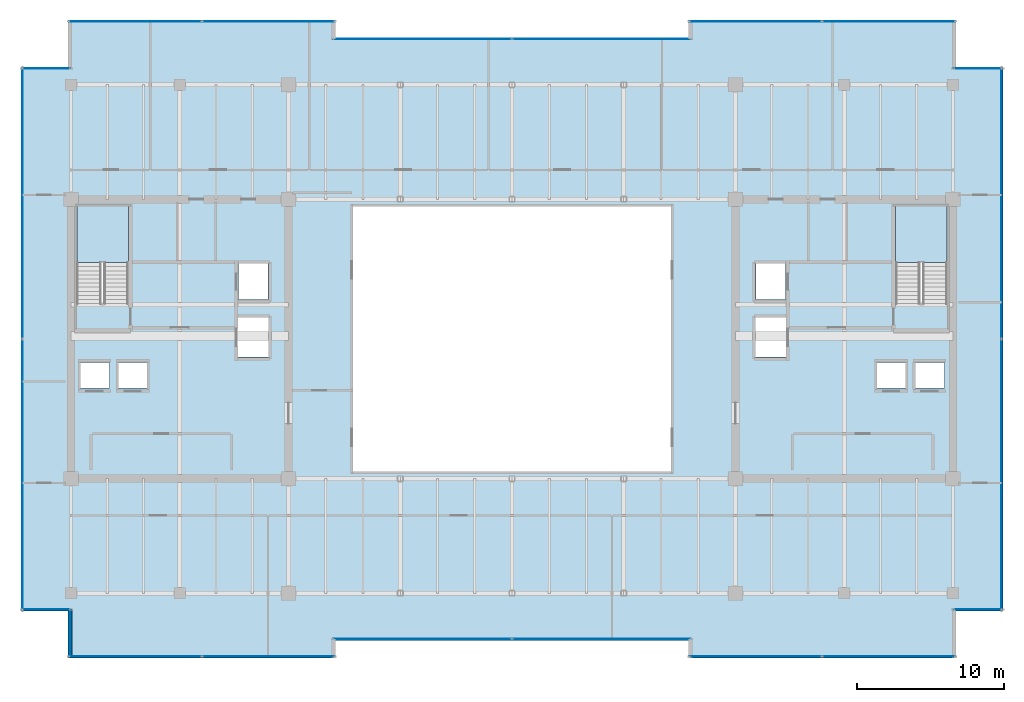
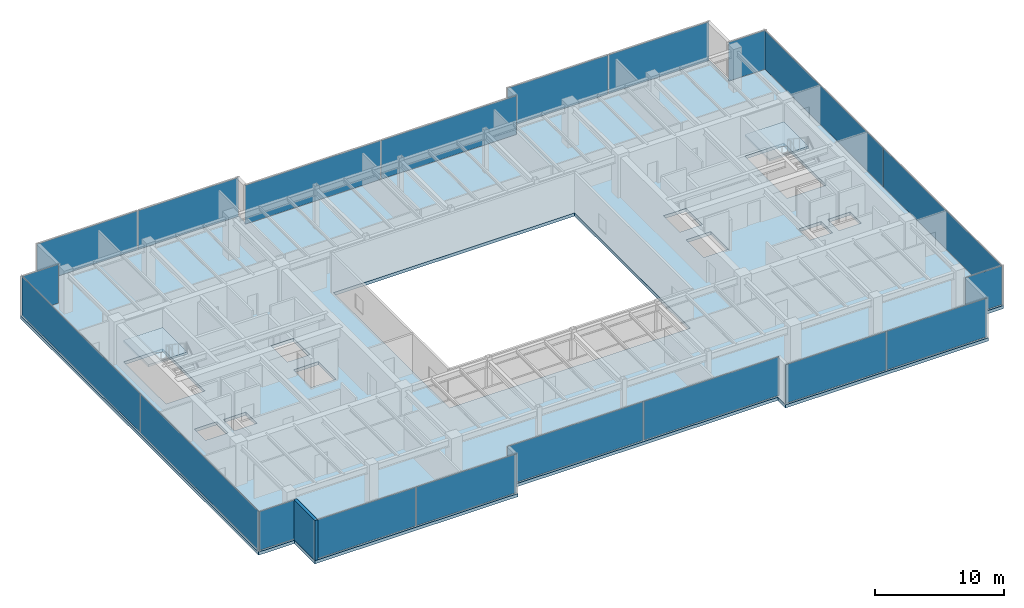
# One storey, part 27 of 33: 20 plates, 3 slabs, 1 wall, 14 elements without a shape of their own.
"""IFC4 building model written with IfcOpenShell, lengths in metres."""

from ifc_helpers import new_model, si_unit, direction, frame, frame_2d, origin, origin_2d, place, context, subcontext, project, spatial, polyline, rectangle, outline, extrude, source, transform, mapped, material, layer, layer_set, type_object, type_shapes, element, aggregate, save


model = new_model("IFC4")

# Units and contexts
model_context = context("Model", 3, precision=1e-05, world=origin(), true_north=direction((0.0, 1.0)))
body_context = subcontext(model_context, "Body", "Model", "MODEL_VIEW")
ifc_project = project(units=[si_unit("LENGTHUNIT", "METRE"), si_unit("AREAUNIT", "SQUARE_METRE"), si_unit("VOLUMEUNIT", "CUBIC_METRE"), si_unit("PLANEANGLEUNIT", "RADIAN"), si_unit("MASSUNIT", "GRAM", prefix="KILO")], contexts=[model_context])

# Site, building, storey
site_placement = place(None, origin())
site = spatial("IfcSite", under=ifc_project, at=site_placement, CompositionType="ELEMENT")
building_placement = place(site_placement, origin())
building = spatial("IfcBuilding", under=site, at=building_placement, Name="Haelvirn Gate Laboratories", CompositionType="ELEMENT")
storey_placement = place(building_placement, frame((0.0, 0.0, 230.10009765625)))
storey = spatial("IfcBuildingStorey", under=building, at=storey_placement, Name="L55", CompositionType="ELEMENT", Elevation=230.10009765625)

# Stair, slab
ifc_material_1 = material(Name="Concrete C40/50", Category="concrete")
stair_type = type_object("IfcStairType", Name="ST-DOG-1650-R22", PredefinedType="HALF_TURN_STAIR", material=ifc_material_1)
stair_1_placement = place(storey_placement, origin())
stair_1 = element("IfcStair", 1, at=stair_1_placement, inside=storey, type_object=stair_type, Name="L55 Escape Stair ST1", PredefinedType="HALF_TURN_STAIR")
ifc_layer_1 = layer(ifc_material_1, 0.199951171875, Name="SL-STAIR-LND")
ifc_layer_set_1 = layer_set([ifc_layer_1], Name="Concrete C40/50")
slab_type_1 = type_object("IfcSlabType", Name="SL-STAIR-LND", PredefinedType="LANDING", material=ifc_layer_set_1)
slab_1_placement = place(storey_placement, frame((0.0, 0.0, 1.849853515625)))
slab_1 = element("IfcSlab", 2, at=slab_1_placement, type_object=slab_type_1, Name="ST1 landing 1", PredefinedType="LANDING", context=body_context, shape_type="SweptSolid", body=[
    extrude(outline(polyline([(11.300048828125, 29.5), (11.300048828125, 33.35009765625), (7.800048828125, 33.35009765625), (7.800048828125, 29.5), (11.300048828125, 29.5)])), origin(), (0.0, 0.0, 1.0), 0.199951171875),
])
aggregate(stair_1, [slab_1])

stair_2_placement = place(storey_placement, origin())
stair_2 = element("IfcStair", 3, at=stair_2_placement, inside=storey, type_object=stair_type, Name="L55 Escape Stair ST2", PredefinedType="HALF_TURN_STAIR")
slab_2_placement = place(storey_placement, frame((0.0, 0.0, 1.849853515625)))
slab_2 = element("IfcSlab", 4, at=slab_2_placement, type_object=slab_type_1, Name="ST2 landing 1", PredefinedType="LANDING", context=body_context, shape_type="SweptSolid", body=[
    extrude(outline(polyline([(67.0, 29.5), (67.0, 33.35009765625), (63.5, 33.35009765625), (63.5, 29.5), (67.0, 29.5)])), origin(), (0.0, 0.0, 1.0), 0.199951171875),
])
aggregate(stair_2, [slab_2])

# Slab
ifc_layer_2 = layer(ifc_material_1, 0.300048828125, Name="SL-Z3-300")
ifc_layer_set_2 = layer_set([ifc_layer_2], Name="Concrete C40/50")
slab_type_2 = type_object("IfcSlabType", Name="SL-Z3-300", PredefinedType="FLOOR", material=ifc_layer_set_2)
slab_3_placement = place(storey_placement, frame((0.0, 0.0, -0.300048828125)))
element("IfcSlab", 5, at=slab_3_placement, inside=storey, type_object=slab_type_2, Name="L55 Structural Slab MAIN", PredefinedType="FLOOR", context=body_context, shape_type="SweptSolid", body=[
    extrude(outline(polyline([(7.199951171875, 2.60009765625), (25.39990234375, 2.60009765625), (25.39990234375, 3.800048828125), (49.39990234375, 3.800048828125), (49.39990234375, 2.60009765625), (67.60009765625, 2.60009765625), (67.60009765625, 5.800048828125), (70.800048828125, 5.800048828125), (70.800048828125, 42.800048828125), (67.60009765625, 42.800048828125), (67.60009765625, 46.0), (49.39990234375, 46.0), (49.39990234375, 44.800048828125), (25.39990234375, 44.800048828125), (25.39990234375, 46.0), (7.199951171875, 46.0), (7.199951171875, 42.800048828125), (4.0, 42.800048828125), (4.0, 5.800048828125), (7.199951171875, 5.800048828125), (7.199951171875, 2.60009765625)]), holes=[polyline([(26.60009765625, 15.300048828125), (48.199951171875, 15.300048828125), (48.199951171875, 33.300048828125), (26.60009765625, 33.300048828125), (26.60009765625, 15.300048828125)]), polyline([(11.300048828125, 26.780029296875), (11.300048828125, 33.35009765625), (7.800048828125, 33.35009765625), (7.800048828125, 26.780029296875), (11.300048828125, 26.780029296875)]), polyline([(67.0, 26.780029296875), (67.0, 33.35009765625), (63.5, 33.35009765625), (63.5, 26.780029296875), (67.0, 26.780029296875)]), polyline([(7.989990234375, 20.969970703125), (10.010009765625, 20.969970703125), (10.010009765625, 22.7099609375), (7.989990234375, 22.7099609375), (7.989990234375, 20.969970703125)]), polyline([(10.590087890625, 20.969970703125), (12.610107421875, 20.969970703125), (12.610107421875, 22.7099609375), (10.590087890625, 22.7099609375), (10.590087890625, 20.969970703125)]), polyline([(18.7900390625, 26.969970703125), (20.81005859375, 26.969970703125), (20.81005859375, 29.510009765625), (18.7900390625, 29.510009765625), (18.7900390625, 26.969970703125)]), polyline([(18.68994140625, 23.070068359375), (20.909912109375, 23.070068359375), (20.909912109375, 25.81005859375), (18.68994140625, 25.81005859375), (18.68994140625, 23.070068359375)]), polyline([(64.7900390625, 20.969970703125), (66.81005859375, 20.969970703125), (66.81005859375, 22.7099609375), (64.7900390625, 22.7099609375), (64.7900390625, 20.969970703125)]), polyline([(62.18994140625, 20.969970703125), (64.2099609375, 20.969970703125), (64.2099609375, 22.7099609375), (62.18994140625, 22.7099609375), (62.18994140625, 20.969970703125)]), polyline([(53.989990234375, 26.969970703125), (56.010009765625, 26.969970703125), (56.010009765625, 29.510009765625), (53.989990234375, 29.510009765625), (53.989990234375, 26.969970703125)]), polyline([(53.889892578125, 23.070068359375), (56.110107421875, 23.070068359375), (56.110107421875, 25.81005859375), (53.889892578125, 25.81005859375), (53.889892578125, 23.070068359375)])]), origin(), (0.0, 0.0, 1.0), 0.300048828125),
])

# Curtain wall, plates
ifc_material_2 = material(Name="Anodised bronze unitised aluminium & triple low-E glass", Category="aluminium")
ifc_layer_3 = layer(ifc_material_2, 0.176025390625, Name="CW-SYS-4")
ifc_layer_set_3 = layer_set([ifc_layer_3], Name="Anodised bronze unitised aluminium & triple low-E glass")
curtain_wall_type_1 = type_object("IfcCurtainWallType", Name="CW-SYS-4", PredefinedType="NOTDEFINED", material=ifc_layer_set_3)
curtain_wall_1_placement = place(storey_placement, origin())
curtain_wall_1 = element("IfcCurtainWall", 6, at=curtain_wall_1_placement, inside=storey, type_object=curtain_wall_type_1, Name="L55 Unitised Curtain Wall CW-L55-P0-E00-1", PredefinedType="NOTDEFINED")
ifc_material_3 = material(Name="Acoustic laminated bronze triple IGU 36 mm", Category="glass")
ifc_layer_4 = layer(ifc_material_3, 0.035888671875, Name="CWP-IGU-36")
ifc_layer_set_4 = layer_set([ifc_layer_4], Name="Acoustic laminated bronze triple IGU 36 mm")
plate_type_1 = type_object("IfcPlateType", Name="CWP-IGU-36", PredefinedType="CURTAIN_PANEL", material=ifc_layer_set_4)
shared_shape_1 = source(origin(), body_context, "Body", "SweptSolid", [
    extrude(rectangle(XDim=8.9951171875, YDim=0.035888671875, at=origin_2d()), origin(), (0.0, 0.0, 1.0), 3.669921875),
])
plate_1_placement = place(storey_placement, frame((11.767578125, 2.699951171875, 0.06494140625), z_axis=(0.0, 0.0, 1.0), x_axis=(1.0, 0.0, 0.0)))
plate_1 = element("IfcPlate", 7, at=plate_1_placement, type_object=plate_type_1, Name="CW4 panel 1.1", PredefinedType="CURTAIN_PANEL", context=body_context, shape_type="MappedRepresentation", body=[
    mapped(shared_shape_1, transform((0.0, 0.0, 0.0), scale=1.0)),
])
plate_2_placement = place(storey_placement, frame((20.83251953125, 2.699951171875, 0.06494140625), z_axis=(0.0, 0.0, 1.0), x_axis=(1.0, 0.0, 0.0)))
plate_2 = element("IfcPlate", 8, at=plate_2_placement, type_object=plate_type_1, Name="CW4 panel 2.1", PredefinedType="CURTAIN_PANEL", context=body_context, shape_type="MappedRepresentation", body=[
    mapped(shared_shape_1, transform((0.0, 0.0, 0.0), scale=1.0)),
])
aggregate(curtain_wall_1, [plate_1, plate_2])

curtain_wall_2_placement = place(storey_placement, origin())
curtain_wall_2 = element("IfcCurtainWall", 9, at=curtain_wall_2_placement, inside=storey, type_object=curtain_wall_type_1, Name="L55 Unitised Curtain Wall CW-L55-P0-E04-1", PredefinedType="NOTDEFINED")
plate_3_placement = place(storey_placement, frame((53.967529296875, 2.699951171875, 0.06494140625), z_axis=(0.0, 0.0, 1.0), x_axis=(1.0, 0.0, 0.0)))
plate_3 = element("IfcPlate", 10, at=plate_3_placement, type_object=plate_type_1, Name="CW4 panel 1.1", PredefinedType="CURTAIN_PANEL", context=body_context, shape_type="MappedRepresentation", body=[
    mapped(shared_shape_1, transform((0.0, 0.0, 0.0), scale=1.0)),
])
plate_4_placement = place(storey_placement, frame((63.032470703125, 2.699951171875, 0.06494140625), z_axis=(0.0, 0.0, 1.0), x_axis=(1.0, 0.0, 0.0)))
plate_4 = element("IfcPlate", 11, at=plate_4_placement, type_object=plate_type_1, Name="CW4 panel 2.1", PredefinedType="CURTAIN_PANEL", context=body_context, shape_type="MappedRepresentation", body=[
    mapped(shared_shape_1, transform((0.0, 0.0, 0.0), scale=1.0)),
])
aggregate(curtain_wall_2, [plate_3, plate_4])

curtain_wall_3_placement = place(storey_placement, origin())
curtain_wall_3 = element("IfcCurtainWall", 12, at=curtain_wall_3_placement, inside=storey, type_object=curtain_wall_type_1, Name="L55 Unitised Curtain Wall CW-L55-P0-E10-1", PredefinedType="NOTDEFINED")
plate_5_placement = place(storey_placement, frame((53.967529296875, 45.89990234375, 0.06494140625), z_axis=(0.0, 0.0, 1.0), x_axis=(1.0, 0.0, 0.0)))
plate_5 = element("IfcPlate", 13, at=plate_5_placement, type_object=plate_type_1, Name="CW4 panel 1.1", PredefinedType="CURTAIN_PANEL", context=body_context, shape_type="MappedRepresentation", body=[
    mapped(shared_shape_1, transform((0.0, 0.0, 0.0), scale=1.0)),
])
plate_6_placement = place(storey_placement, frame((63.032470703125, 45.89990234375, 0.06494140625), z_axis=(0.0, 0.0, 1.0), x_axis=(1.0, 0.0, 0.0)))
plate_6 = element("IfcPlate", 14, at=plate_6_placement, type_object=plate_type_1, Name="CW4 panel 2.1", PredefinedType="CURTAIN_PANEL", context=body_context, shape_type="MappedRepresentation", body=[
    mapped(shared_shape_1, transform((0.0, 0.0, 0.0), scale=1.0)),
])
aggregate(curtain_wall_3, [plate_5, plate_6])

curtain_wall_4_placement = place(storey_placement, origin())
curtain_wall_4 = element("IfcCurtainWall", 15, at=curtain_wall_4_placement, inside=storey, type_object=curtain_wall_type_1, Name="L55 Unitised Curtain Wall CW-L55-P0-E14-1", PredefinedType="NOTDEFINED")
plate_7_placement = place(storey_placement, frame((11.767578125, 45.89990234375, 0.06494140625), z_axis=(0.0, 0.0, 1.0), x_axis=(1.0, 0.0, 0.0)))
plate_7 = element("IfcPlate", 16, at=plate_7_placement, type_object=plate_type_1, Name="CW4 panel 1.1", PredefinedType="CURTAIN_PANEL", context=body_context, shape_type="MappedRepresentation", body=[
    mapped(shared_shape_1, transform((0.0, 0.0, 0.0), scale=1.0)),
])
plate_8_placement = place(storey_placement, frame((20.83251953125, 45.89990234375, 0.06494140625), z_axis=(0.0, 0.0, 1.0), x_axis=(1.0, 0.0, 0.0)))
plate_8 = element("IfcPlate", 17, at=plate_8_placement, type_object=plate_type_1, Name="CW4 panel 2.1", PredefinedType="CURTAIN_PANEL", context=body_context, shape_type="MappedRepresentation", body=[
    mapped(shared_shape_1, transform((0.0, 0.0, 0.0), scale=1.0)),
])
aggregate(curtain_wall_4, [plate_7, plate_8])

curtain_wall_5_placement = place(storey_placement, origin())
curtain_wall_5 = element("IfcCurtainWall", 18, at=curtain_wall_5_placement, inside=storey, type_object=curtain_wall_type_1, Name="L55 Unitised Curtain Wall CW-L55-P0-E02-1", PredefinedType="NOTDEFINED")
shared_shape_2 = source(origin(), body_context, "Body", "SweptSolid", [
    extrude(rectangle(XDim=12.135009765625, YDim=0.035888671875, at=origin_2d()), origin(), (0.0, 0.0, 1.0), 3.669921875),
])
plate_9_placement = place(storey_placement, frame((31.297607421875, 3.89990234375, 0.06494140625), z_axis=(0.0, 0.0, 1.0), x_axis=(1.0, 0.0, 0.0)))
plate_9 = element("IfcPlate", 19, at=plate_9_placement, type_object=plate_type_1, Name="CW4 panel 1.1", PredefinedType="CURTAIN_PANEL", context=body_context, shape_type="MappedRepresentation", body=[
    mapped(shared_shape_2, transform((0.0, 0.0, 0.0), scale=1.0)),
])
plate_10_placement = place(storey_placement, frame((43.50244140625, 3.89990234375, 0.06494140625), z_axis=(0.0, 0.0, 1.0), x_axis=(1.0, 0.0, 0.0)))
plate_10 = element("IfcPlate", 20, at=plate_10_placement, type_object=plate_type_1, Name="CW4 panel 2.1", PredefinedType="CURTAIN_PANEL", context=body_context, shape_type="MappedRepresentation", body=[
    mapped(shared_shape_2, transform((0.0, 0.0, 0.0), scale=1.0)),
])
aggregate(curtain_wall_5, [plate_9, plate_10])

curtain_wall_6_placement = place(storey_placement, origin())
curtain_wall_6 = element("IfcCurtainWall", 21, at=curtain_wall_6_placement, inside=storey, type_object=curtain_wall_type_1, Name="L55 Unitised Curtain Wall CW-L55-P0-E12-1", PredefinedType="NOTDEFINED")
plate_11_placement = place(storey_placement, frame((31.297607421875, 44.699951171875, 0.06494140625), z_axis=(0.0, 0.0, 1.0), x_axis=(1.0, 0.0, 0.0)))
plate_11 = element("IfcPlate", 22, at=plate_11_placement, type_object=plate_type_1, Name="CW4 panel 1.1", PredefinedType="CURTAIN_PANEL", context=body_context, shape_type="MappedRepresentation", body=[
    mapped(shared_shape_2, transform((0.0, 0.0, 0.0), scale=1.0)),
])
plate_12_placement = place(storey_placement, frame((43.50244140625, 44.699951171875, 0.06494140625), z_axis=(0.0, 0.0, 1.0), x_axis=(1.0, 0.0, 0.0)))
plate_12 = element("IfcPlate", 23, at=plate_12_placement, type_object=plate_type_1, Name="CW4 panel 2.1", PredefinedType="CURTAIN_PANEL", context=body_context, shape_type="MappedRepresentation", body=[
    mapped(shared_shape_2, transform((0.0, 0.0, 0.0), scale=1.0)),
])
aggregate(curtain_wall_6, [plate_11, plate_12])

# Curtain wall, plate
ifc_layer_5 = layer(ifc_material_2, 0.181884765625, Name="CW-SYS-5")
ifc_layer_set_5 = layer_set([ifc_layer_5], Name="Anodised bronze unitised aluminium & triple low-E glass")
curtain_wall_type_2 = type_object("IfcCurtainWallType", Name="CW-SYS-5", PredefinedType="NOTDEFINED", material=ifc_layer_set_5)
curtain_wall_7_placement = place(storey_placement, origin())
curtain_wall_7 = element("IfcCurtainWall", 24, at=curtain_wall_7_placement, inside=storey, type_object=curtain_wall_type_2, Name="L55 Unitised Curtain Wall CW-L55-P0-E06-1", PredefinedType="NOTDEFINED")
ifc_material_4 = material(Name="Clear low-iron notched-corner triple IGU 42 mm", Category="glass")
ifc_layer_6 = layer(ifc_material_4, 0.0419921875, Name="CWP-NTC-42")
ifc_layer_set_6 = layer_set([ifc_layer_6], Name="Clear low-iron notched-corner triple IGU 42 mm")
plate_type_2 = type_object("IfcPlateType", Name="CWP-NTC-42", PredefinedType="CURTAIN_PANEL", material=ifc_layer_set_6)
shared_shape_3 = source(origin(), body_context, "Body", "SweptSolid", [
    extrude(rectangle(XDim=3.280029296875, YDim=0.0419921875, at=origin_2d()), origin(), (0.0, 0.0, 1.0), 3.669921875),
])
type_shapes(plate_type_2, [shared_shape_3])
plate_13_placement = place(storey_placement, frame((69.080078125, 5.89990234375, 0.06494140625), z_axis=(0.0, 0.0, 1.0), x_axis=(1.0, 0.0, 0.0)))
plate_13 = element("IfcPlate", 25, at=plate_13_placement, type_object=plate_type_2, Name="CW5 panel 1.1", PredefinedType="CURTAIN_PANEL", context=body_context, shape_type="MappedRepresentation", body=[
    mapped(shared_shape_3, transform((0.0, 0.0, 0.0), scale=1.0)),
])
aggregate(curtain_wall_7, [plate_13])

curtain_wall_8_placement = place(storey_placement, origin())
curtain_wall_8 = element("IfcCurtainWall", 26, at=curtain_wall_8_placement, inside=storey, type_object=curtain_wall_type_2, Name="L55 Unitised Curtain Wall CW-L55-P0-E08-1", PredefinedType="NOTDEFINED")
plate_14_placement = place(storey_placement, frame((69.080078125, 42.699951171875, 0.06494140625), z_axis=(0.0, 0.0, 1.0), x_axis=(1.0, 0.0, 0.0)))
plate_14 = element("IfcPlate", 27, at=plate_14_placement, type_object=plate_type_2, Name="CW5 panel 1.1", PredefinedType="CURTAIN_PANEL", context=body_context, shape_type="MappedRepresentation", body=[
    mapped(shared_shape_3, transform((0.0, 0.0, 0.0), scale=1.0)),
])
aggregate(curtain_wall_8, [plate_14])

curtain_wall_9_placement = place(storey_placement, origin())
curtain_wall_9 = element("IfcCurtainWall", 28, at=curtain_wall_9_placement, inside=storey, type_object=curtain_wall_type_2, Name="L55 Unitised Curtain Wall CW-L55-P0-E16-1", PredefinedType="NOTDEFINED")
plate_15_placement = place(storey_placement, frame((5.719970703125, 42.699951171875, 0.06494140625), z_axis=(0.0, 0.0, 1.0), x_axis=(1.0, 0.0, 0.0)))
plate_15 = element("IfcPlate", 29, at=plate_15_placement, type_object=plate_type_2, Name="CW5 panel 1.1", PredefinedType="CURTAIN_PANEL", context=body_context, shape_type="MappedRepresentation", body=[
    mapped(shared_shape_3, transform((0.0, 0.0, 0.0), scale=1.0)),
])
aggregate(curtain_wall_9, [plate_15])

curtain_wall_10_placement = place(storey_placement, origin())
curtain_wall_10 = element("IfcCurtainWall", 30, at=curtain_wall_10_placement, inside=storey, type_object=curtain_wall_type_2, Name="L55 Unitised Curtain Wall CW-L55-P0-E18-1", PredefinedType="NOTDEFINED")
plate_16_placement = place(storey_placement, frame((5.719970703125, 5.89990234375, 0.06494140625), z_axis=(0.0, 0.0, 1.0), x_axis=(1.0, 0.0, 0.0)))
plate_16 = element("IfcPlate", 31, at=plate_16_placement, type_object=plate_type_2, Name="CW5 panel 1.1", PredefinedType="CURTAIN_PANEL", context=body_context, shape_type="MappedRepresentation", body=[
    mapped(shared_shape_3, transform((0.0, 0.0, 0.0), scale=1.0)),
])
aggregate(curtain_wall_10, [plate_16])

# Curtain wall, plates
curtain_wall_11_placement = place(storey_placement, origin())
curtain_wall_11 = element("IfcCurtainWall", 32, at=curtain_wall_11_placement, inside=storey, type_object=curtain_wall_type_1, Name="L55 Unitised Curtain Wall CW-L55-P0-E07", PredefinedType="NOTDEFINED")
shared_shape_4 = source(origin(), body_context, "Body", "SweptSolid", [
    extrude(rectangle(XDim=18.39501953125, YDim=0.035888671875, at=origin_2d()), origin(), (0.0, 0.0, 1.0), 3.669921875),
])
type_shapes(plate_type_1, [shared_shape_1, shared_shape_2, shared_shape_4])
plate_17_placement = place(storey_placement, frame((70.699951171875, 15.0673828125, 0.06494140625), z_axis=(0.0, 0.0, 1.0), x_axis=(0.0, 1.0, 0.0)))
plate_17 = element("IfcPlate", 33, at=plate_17_placement, type_object=plate_type_1, Name="CW4 panel 1.1", PredefinedType="CURTAIN_PANEL", context=body_context, shape_type="MappedRepresentation", body=[
    mapped(shared_shape_4, transform((0.0, 0.0, 0.0), scale=1.0)),
])
plate_18_placement = place(storey_placement, frame((70.699951171875, 33.532470703125, 0.06494140625), z_axis=(0.0, 0.0, 1.0), x_axis=(0.0, 1.0, 0.0)))
plate_18 = element("IfcPlate", 34, at=plate_18_placement, type_object=plate_type_1, Name="CW4 panel 2.1", PredefinedType="CURTAIN_PANEL", context=body_context, shape_type="MappedRepresentation", body=[
    mapped(shared_shape_4, transform((0.0, 0.0, 0.0), scale=1.0)),
])
aggregate(curtain_wall_11, [plate_17, plate_18])

curtain_wall_12_placement = place(storey_placement, origin())
curtain_wall_12 = element("IfcCurtainWall", 35, at=curtain_wall_12_placement, inside=storey, type_object=curtain_wall_type_1, Name="L55 Unitised Curtain Wall CW-L55-P0-E17", PredefinedType="NOTDEFINED")
plate_19_placement = place(storey_placement, frame((4.10009765625, 33.532470703125, 0.06494140625), z_axis=(0.0, 0.0, 1.0), x_axis=(0.0, -1.0, 0.0)))
plate_19 = element("IfcPlate", 36, at=plate_19_placement, type_object=plate_type_1, Name="CW4 panel 1.1", PredefinedType="CURTAIN_PANEL", context=body_context, shape_type="MappedRepresentation", body=[
    mapped(shared_shape_4, transform((0.0, 0.0, 0.0), scale=1.0)),
])
plate_20_placement = place(storey_placement, frame((4.10009765625, 15.0673828125, 0.06494140625), z_axis=(0.0, 0.0, 1.0), x_axis=(0.0, -1.0, 0.0)))
plate_20 = element("IfcPlate", 37, at=plate_20_placement, type_object=plate_type_1, Name="CW4 panel 2.1", PredefinedType="CURTAIN_PANEL", context=body_context, shape_type="MappedRepresentation", body=[
    mapped(shared_shape_4, transform((0.0, 0.0, 0.0), scale=1.0)),
])
aggregate(curtain_wall_12, [plate_19, plate_20])

# Wall
ifc_material_5 = material(Name="Thermally-broken bronze aluminium rainscreen & mineral wool", Category="aluminium")
ifc_layer_7 = layer(ifc_material_5, 0.280029296875, Name="EW-TERR-280")
ifc_layer_set_7 = layer_set([ifc_layer_7], Name="Thermally-broken bronze aluminium rainscreen & mineral wool")
wall_type = type_object("IfcWallType", Name="EW-TERR-280", PredefinedType="STANDARD", material=ifc_layer_set_7)
wall_placement = place(storey_placement, frame((7.340087890625, 5.887939453125, 0.0), z_axis=(0.0, 0.0, 1.0), x_axis=(0.0, -1.0, 0.0)))
element("IfcWall", 38, at=wall_placement, inside=storey, type_object=wall_type, Name="L55 Atrium Recess Bronze Return Wall 19", PredefinedType="STANDARD", context=body_context, shape_type="SweptSolid", body=[
    extrude(rectangle(XDim=3.287841796875, YDim=0.280029296875, at=frame_2d((1.64404296875, 0.0))), origin(), (0.0, 0.0, 1.0), 3.7998046875),
])

save(model, "model.ifc")
